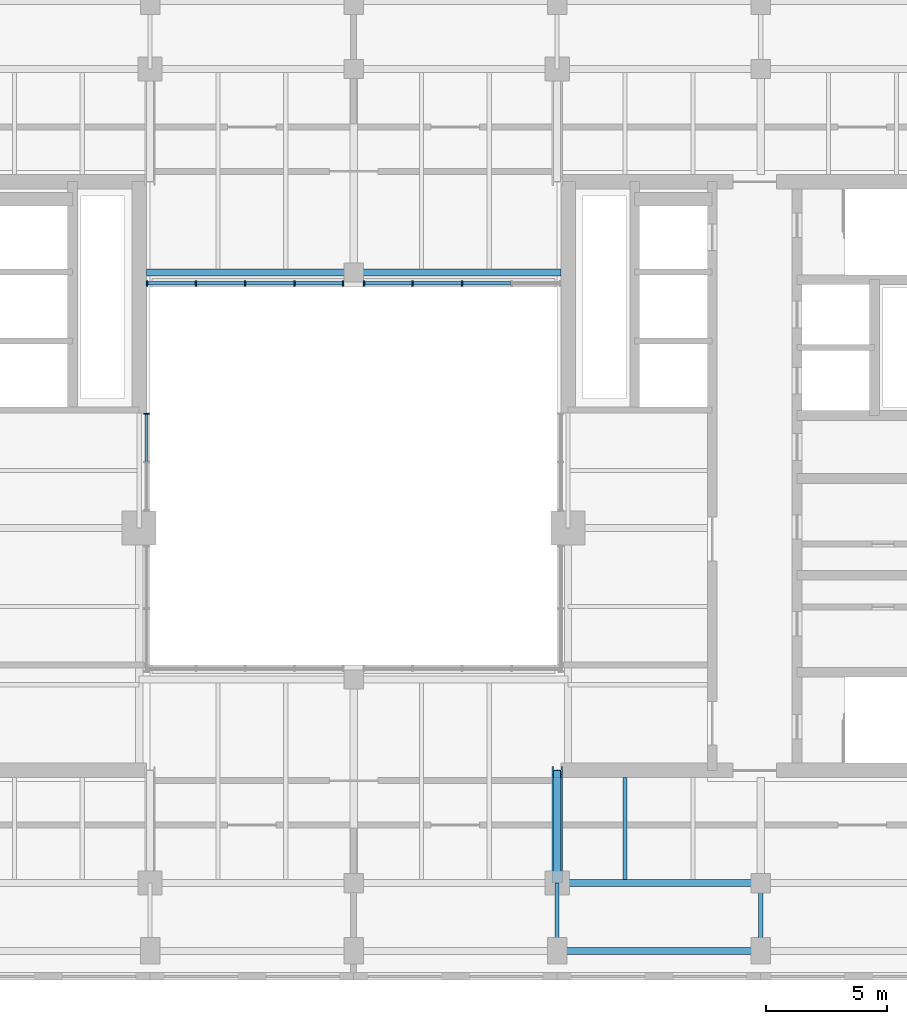
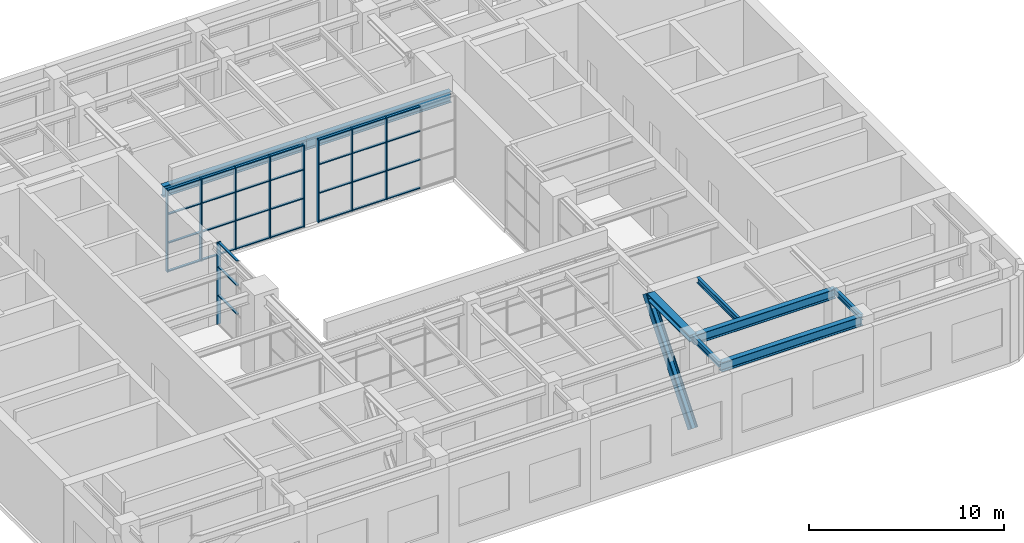
# One storey, part 3 of 11: 41 members, 8 beams, 3 elements without a shape of their own.
"""IFC4 building model written with IfcOpenShell, lengths in metres."""

from ifc_helpers import new_model, si_unit, direction, frame, origin, origin_2d, place, context, subcontext, project, spatial, rectangle, i_section, extrude, material, material_profile, profile_set, type_object, element, aggregate, save


model = new_model("IFC4")

# Units and contexts
model_context = context("Model", 3, precision=1e-05, world=origin(), true_north=direction((0.0, 1.0)))
body_context = subcontext(model_context, "Body", "Model", "MODEL_VIEW")
ifc_project = project(units=[si_unit("LENGTHUNIT", "METRE"), si_unit("AREAUNIT", "SQUARE_METRE"), si_unit("VOLUMEUNIT", "CUBIC_METRE"), si_unit("PLANEANGLEUNIT", "RADIAN"), si_unit("MASSUNIT", "GRAM", prefix="KILO")], contexts=[model_context])

# Site, building, storey
site_placement = place(None, origin())
site = spatial("IfcSite", under=ifc_project, at=site_placement, CompositionType="ELEMENT")
building_placement = place(site_placement, origin())
building = spatial("IfcBuilding", under=site, at=building_placement, Name="Claustro Exchange Tower", CompositionType="ELEMENT")
storey_placement = place(building_placement, frame((0.0, 0.0, 281.699951171875)))
storey = spatial("IfcBuildingStorey", under=building, at=storey_placement, Name="L64", CompositionType="ELEMENT", Elevation=281.699951171875)

# Beams
ifc_material_1 = material(Name="Steel S355", Category="steel")
ifc_material_profile_1 = material_profile(ifc_material_1, i_section(OverallWidth=0.300048828125, OverallDepth=0.590087890625, WebThickness=0.012939453125, FlangeThickness=0.02490234375, FilletRadius=0.027099609375, at=origin_2d()), Name="HE 600 A")
ifc_profile_set_1 = profile_set([ifc_material_profile_1], Name="Steel S355")
beam_type_1 = type_object("IfcBeamType", Name="B10 HE 600 A floor girder", PredefinedType="BEAM", material=ifc_profile_set_1)
for number, where, z_axis, x_axis, name in (
    (1, (33.60009765625, 5.60009765625, 4.85498046875), (1.0, 0.0, 0.0), (0.0, 1.0, 0.0), "Beam B10 ROOF"),
    (2, (33.60009765625, 8.39990234375, 4.85498046875), (1.0, 0.0, 0.0), (0.0, 1.0, 0.0), "Beam B10 ROOF"),
):
    element("IfcBeam", number, at=place(storey_placement, frame(where, z_axis=z_axis, x_axis=x_axis)), inside=storey, type_object=beam_type_1, Name=name, PredefinedType="BEAM", context=body_context, shape_type="SweptSolid", body=[
        extrude(i_section(OverallWidth=0.300048828125, OverallDepth=0.590087890625, WebThickness=0.012939453125, FlangeThickness=0.02490234375, FilletRadius=0.027099609375, at=origin_2d()), origin(), (0.0, 0.0, 1.0), 8.39990234375),
    ])
ifc_material_2 = material(Name="Steel S355", Category="steel")
ifc_material_profile_2 = material_profile(ifc_material_2, i_section(OverallWidth=0.300048828125, OverallDepth=0.68994140625, WebThickness=0.014404296875, FlangeThickness=0.027099609375, FilletRadius=0.027099609375, at=origin_2d()), Name="HE 700 A")
ifc_profile_set_2 = profile_set([ifc_material_profile_2], Name="Steel S355")
beam_type_2 = type_object("IfcBeamType", Name="B13 HE 700 A light well edge girder", PredefinedType="BEAM", material=ifc_profile_set_2)
for number, where, z_axis, x_axis, name in (
    (3, (16.64990234375, 33.60009765625, 4.804931640625), (1.0, 0.0, 0.0), (0.0, 1.0, 0.0), "Beam B13 ROOF"),
    (4, (25.199951171875, 33.60009765625, 4.804931640625), (1.0, 0.0, 0.0), (0.0, 1.0, 0.0), "Beam B13 ROOF"),
):
    element("IfcBeam", number, at=place(storey_placement, frame(where, z_axis=z_axis, x_axis=x_axis)), inside=storey, type_object=beam_type_2, Name=name, PredefinedType="BEAM", context=body_context, shape_type="SweptSolid", body=[
        extrude(i_section(OverallWidth=0.300048828125, OverallDepth=0.68994140625, WebThickness=0.014404296875, FlangeThickness=0.027099609375, FilletRadius=0.027099609375, at=origin_2d()), origin(), (0.0, 0.0, 1.0), 8.550048828125),
    ])
ifc_material_3 = material(Name="Steel S355", Category="steel")
ifc_material_profile_3 = material_profile(ifc_material_3, i_section(OverallWidth=0.169921875, OverallDepth=0.360107421875, WebThickness=0.008056640625, FlangeThickness=0.0126953125, FilletRadius=0.01806640625, at=origin_2d()), Name="IPE 360")
ifc_profile_set_3 = profile_set([ifc_material_profile_3], Name="Steel S355")
beam_type_3 = type_object("IfcBeamType", Name="B16 IPE 360 short-span beam", PredefinedType="BEAM", material=ifc_profile_set_3)
for number, where, z_axis, x_axis, name in (
    (5, (33.60009765625, 5.60009765625, 4.969970703125), (0.0, 1.0, 0.0), (-1.0, 0.0, 0.0), "Beam B16 ROOF"),
    (6, (42.0, 5.60009765625, 4.969970703125), (0.0, 1.0, 0.0), (-1.0, 0.0, 0.0), "Beam B16 ROOF"),
):
    element("IfcBeam", number, at=place(storey_placement, frame(where, z_axis=z_axis, x_axis=x_axis)), inside=storey, type_object=beam_type_3, Name=name, PredefinedType="BEAM", context=body_context, shape_type="SweptSolid", body=[
        extrude(i_section(OverallWidth=0.169921875, OverallDepth=0.360107421875, WebThickness=0.008056640625, FlangeThickness=0.0126953125, FilletRadius=0.01806640625, at=origin_2d()), origin(), (0.0, 0.0, 1.0), 2.7998046875),
    ])
beam_1_placement = place(storey_placement, frame((36.39990234375, 8.550048828125, 4.969970703125), z_axis=(0.0, 1.0, 0.0), x_axis=(-1.0, 0.0, 0.0)))
element("IfcBeam", 7, at=beam_1_placement, inside=storey, type_object=beam_type_3, Name="Beam B16 ROOF", PredefinedType="BEAM", context=body_context, shape_type="SweptSolid", body=[
    extrude(i_section(OverallWidth=0.169921875, OverallDepth=0.360107421875, WebThickness=0.008056640625, FlangeThickness=0.0126953125, FilletRadius=0.01806640625, at=origin_2d()), origin(), (0.0, 0.0, 1.0), 4.199951171875),
])
ifc_material_4 = material(Name="Steel S460", Category="steel")
ifc_material_profile_4 = material_profile(ifc_material_4, i_section(OverallWidth=0.422119140625, OverallDepth=0.425048828125, WebThickness=0.035888671875, FlangeThickness=0.05810546875, FilletRadius=0.014892578125, at=origin_2d()), Name="HD 400x463")
ifc_profile_set_4 = profile_set([ifc_material_profile_4], Name="Steel S460")
beam_type_4 = type_object("IfcBeamType", Name="CT1 HD 400x463 cap truss chord", PredefinedType="BEAM", material=ifc_profile_set_4)
beam_2_placement = place(storey_placement, frame((33.60009765625, 8.39990234375, 4.9375), z_axis=(0.0, 1.0, 0.0), x_axis=(-1.0, 0.0, 0.0)))
element("IfcBeam", 8, at=beam_2_placement, inside=storey, type_object=beam_type_4, Name="Beam CT1 ROOF", PredefinedType="BEAM", context=body_context, shape_type="SweptSolid", body=[
    extrude(i_section(OverallWidth=0.422119140625, OverallDepth=0.425048828125, WebThickness=0.035888671875, FlangeThickness=0.05810546875, FilletRadius=0.014892578125, at=origin_2d()), origin(), (0.0, 0.0, 1.0), 4.35009765625),
])

# Member
ifc_material_5 = material(Name="Steel S460", Category="steel")
ifc_material_profile_5 = material_profile(ifc_material_5, i_section(OverallWidth=0.422119140625, OverallDepth=0.425048828125, WebThickness=0.035888671875, FlangeThickness=0.05810546875, FilletRadius=0.014892578125, at=origin_2d()), Name="HD 400x463")
ifc_profile_set_5 = profile_set([ifc_material_profile_5], Name="Steel S460")
member_type_1 = type_object("IfcMemberType", Name="CT2 HD 400x463 cap truss diagonal", PredefinedType="BRACE", material=ifc_profile_set_5)
member_1_placement = place(storey_placement, frame((33.60009765625, 8.39990234375, -0.759033203125), z_axis=(0.0, 0.632369577615, 0.774666842783), x_axis=(0.0, -0.774666842783, 0.632369577615)))
element("IfcMember", 9, at=member_1_placement, inside=storey, type_object=member_type_1, Name="Cap truss diagonal CT2 L64", PredefinedType="BRACE", context=body_context, shape_type="SweptSolid", body=[
    extrude(i_section(OverallWidth=0.422119140625, OverallDepth=0.425048828125, WebThickness=0.035888671875, FlangeThickness=0.05810546875, FilletRadius=0.014892578125, at=origin_2d()), origin(), (0.0, 0.0, 1.0), 7.353515625),
])

# Curtain wall, member
ifc_material_6 = material(Name="Aluminium frame, clear double glazing", Category="aluminium")
curtain_wall_type = type_object("IfcCurtainWallType", Name="CW4 plant louvre screen", PredefinedType="USERDEFINED", material=ifc_material_6)
curtain_wall_1_placement = place(storey_placement, origin())
curtain_wall_1 = element("IfcCurtainWall", 10, at=curtain_wall_1_placement, inside=storey, type_object=curtain_wall_type, Name="Curtain wall CW4 L64", ObjectType="STICK CURTAIN WALL", PredefinedType="USERDEFINED")
ifc_material_7 = material(Name="Aluminium mullion", Category="aluminium")
ifc_material_profile_6 = material_profile(ifc_material_7, rectangle(XDim=0.219970703125, YDim=0.06005859375, at=origin_2d()), Name="CW4-M 60x220")
ifc_profile_set_6 = profile_set([ifc_material_profile_6], Name="Aluminium mullion")
member_type_2 = type_object("IfcMemberType", Name="CW4-M 60 x 220 mullion", PredefinedType="MULLION", material=ifc_profile_set_6)
member_2_placement = place(storey_placement, frame((16.64990234375, 27.77001953125, 0.0), z_axis=(0.0, 0.0, 1.0), x_axis=(-1.0, 0.0, 0.0)))
member_2 = element("IfcMember", 11, at=member_2_placement, type_object=member_type_2, Name="CW4 mullion 3", PredefinedType="MULLION", context=body_context, shape_type="SweptSolid", body=[
    extrude(rectangle(XDim=0.219970703125, YDim=0.06005859375, at=origin_2d()), origin(), (0.0, 0.0, 1.0), 5.150146484375),
])

# Curtain wall, members
curtain_wall_2_placement = place(storey_placement, origin())
curtain_wall_2 = element("IfcCurtainWall", 12, at=curtain_wall_2_placement, inside=storey, type_object=curtain_wall_type, Name="Curtain wall CW4 L64", ObjectType="STICK CURTAIN WALL", PredefinedType="USERDEFINED")
member_3_placement = place(storey_placement, frame((16.679931640625, 33.14990234375, 0.0), z_axis=(0.0, 0.0, 1.0), x_axis=(0.0, 1.0, 0.0)))
member_3 = element("IfcMember", 13, at=member_3_placement, type_object=member_type_2, Name="CW4 mullion 1", PredefinedType="MULLION", context=body_context, shape_type="SweptSolid", body=[
    extrude(rectangle(XDim=0.219970703125, YDim=0.06005859375, at=origin_2d()), origin(), (0.0, 0.0, 1.0), 5.150146484375),
])
member_4_placement = place(storey_placement, frame((18.6875, 33.14990234375, 0.0), z_axis=(0.0, 0.0, 1.0), x_axis=(0.0, 1.0, 0.0)))
member_4 = element("IfcMember", 14, at=member_4_placement, type_object=member_type_2, Name="CW4 mullion 2", PredefinedType="MULLION", context=body_context, shape_type="SweptSolid", body=[
    extrude(rectangle(XDim=0.219970703125, YDim=0.06005859375, at=origin_2d()), origin(), (0.0, 0.0, 1.0), 5.150146484375),
])
member_5_placement = place(storey_placement, frame((20.72509765625, 33.14990234375, 0.0), z_axis=(0.0, 0.0, 1.0), x_axis=(0.0, 1.0, 0.0)))
member_5 = element("IfcMember", 15, at=member_5_placement, type_object=member_type_2, Name="CW4 mullion 3", PredefinedType="MULLION", context=body_context, shape_type="SweptSolid", body=[
    extrude(rectangle(XDim=0.219970703125, YDim=0.06005859375, at=origin_2d()), origin(), (0.0, 0.0, 1.0), 5.150146484375),
])
member_6_placement = place(storey_placement, frame((22.762451171875, 33.14990234375, 0.0), z_axis=(0.0, 0.0, 1.0), x_axis=(0.0, 1.0, 0.0)))
member_6 = element("IfcMember", 16, at=member_6_placement, type_object=member_type_2, Name="CW4 mullion 4", PredefinedType="MULLION", context=body_context, shape_type="SweptSolid", body=[
    extrude(rectangle(XDim=0.219970703125, YDim=0.06005859375, at=origin_2d()), origin(), (0.0, 0.0, 1.0), 5.150146484375),
])
member_7_placement = place(storey_placement, frame((24.77001953125, 33.14990234375, 0.0), z_axis=(0.0, 0.0, 1.0), x_axis=(0.0, 1.0, 0.0)))
member_7 = element("IfcMember", 17, at=member_7_placement, type_object=member_type_2, Name="CW4 mullion 5", PredefinedType="MULLION", context=body_context, shape_type="SweptSolid", body=[
    extrude(rectangle(XDim=0.219970703125, YDim=0.06005859375, at=origin_2d()), origin(), (0.0, 0.0, 1.0), 5.150146484375),
])

curtain_wall_3_placement = place(storey_placement, origin())
curtain_wall_3 = element("IfcCurtainWall", 18, at=curtain_wall_3_placement, inside=storey, type_object=curtain_wall_type, Name="Curtain wall CW4 L64", ObjectType="STICK CURTAIN WALL", PredefinedType="USERDEFINED")
member_8_placement = place(storey_placement, frame((25.6298828125, 33.14990234375, 0.0), z_axis=(0.0, 0.0, 1.0), x_axis=(0.0, 1.0, 0.0)))
member_8 = element("IfcMember", 19, at=member_8_placement, type_object=member_type_2, Name="CW4 mullion 1", PredefinedType="MULLION", context=body_context, shape_type="SweptSolid", body=[
    extrude(rectangle(XDim=0.219970703125, YDim=0.06005859375, at=origin_2d()), origin(), (0.0, 0.0, 1.0), 5.150146484375),
])
member_9_placement = place(storey_placement, frame((27.637451171875, 33.14990234375, 0.0), z_axis=(0.0, 0.0, 1.0), x_axis=(0.0, 1.0, 0.0)))
member_9 = element("IfcMember", 20, at=member_9_placement, type_object=member_type_2, Name="CW4 mullion 2", PredefinedType="MULLION", context=body_context, shape_type="SweptSolid", body=[
    extrude(rectangle(XDim=0.219970703125, YDim=0.06005859375, at=origin_2d()), origin(), (0.0, 0.0, 1.0), 5.150146484375),
])
member_10_placement = place(storey_placement, frame((29.675048828125, 33.14990234375, 0.0), z_axis=(0.0, 0.0, 1.0), x_axis=(0.0, 1.0, 0.0)))
member_10 = element("IfcMember", 21, at=member_10_placement, type_object=member_type_2, Name="CW4 mullion 3", PredefinedType="MULLION", context=body_context, shape_type="SweptSolid", body=[
    extrude(rectangle(XDim=0.219970703125, YDim=0.06005859375, at=origin_2d()), origin(), (0.0, 0.0, 1.0), 5.150146484375),
])

# Member
ifc_material_8 = material(Name="Aluminium transom", Category="aluminium")
ifc_material_profile_7 = material_profile(ifc_material_8, rectangle(XDim=0.139892578125, YDim=0.06005859375, at=origin_2d()), Name="CW4-T 60x140")
ifc_profile_set_7 = profile_set([ifc_material_profile_7], Name="Aluminium transom")
member_type_3 = type_object("IfcMemberType", Name="CW4-T 60 x 140 transom", PredefinedType="USERDEFINED", material=ifc_profile_set_7)
member_11_placement = place(storey_placement, frame((16.64990234375, 25.804931640625, 1.800048828125), z_axis=(0.0, 1.0, 0.0), x_axis=(-1.0, 0.0, 0.0)))
member_11 = element("IfcMember", 22, at=member_11_placement, type_object=member_type_3, Name="CW4 transom 2.2", ObjectType="TRANSOM", PredefinedType="USERDEFINED", context=body_context, shape_type="SweptSolid", body=[
    extrude(rectangle(XDim=0.139892578125, YDim=0.06005859375, at=origin_2d()), origin(), (0.0, 0.0, 1.0), 1.93505859375),
])

member_12_placement = place(storey_placement, frame((16.64990234375, 25.804931640625, 3.60009765625), z_axis=(0.0, 1.0, 0.0), x_axis=(-1.0, 0.0, 0.0)))
member_12 = element("IfcMember", 23, at=member_12_placement, type_object=member_type_3, Name="CW4 transom 2.3", ObjectType="TRANSOM", PredefinedType="USERDEFINED", context=body_context, shape_type="SweptSolid", body=[
    extrude(rectangle(XDim=0.139892578125, YDim=0.06005859375, at=origin_2d()), origin(), (0.0, 0.0, 1.0), 1.93505859375),
])

member_13_placement = place(storey_placement, frame((16.64990234375, 25.804931640625, 5.1201171875), z_axis=(0.0, 1.0, 0.0), x_axis=(-1.0, 0.0, 0.0)))
member_13 = element("IfcMember", 24, at=member_13_placement, type_object=member_type_3, Name="CW4 transom 2.4", ObjectType="TRANSOM", PredefinedType="USERDEFINED", context=body_context, shape_type="SweptSolid", body=[
    extrude(rectangle(XDim=0.139892578125, YDim=0.06005859375, at=origin_2d()), origin(), (0.0, 0.0, 1.0), 1.93505859375),
])

aggregate(curtain_wall_1, [member_2, member_11, member_12, member_13])

member_14_placement = place(storey_placement, frame((16.7099609375, 33.14990234375, 0.030029296875), z_axis=(1.0, 0.0, 0.0), x_axis=(0.0, 1.0, 0.0)))
member_14 = element("IfcMember", 25, at=member_14_placement, type_object=member_type_3, Name="CW4 transom 1.1", ObjectType="TRANSOM", PredefinedType="USERDEFINED", context=body_context, shape_type="SweptSolid", body=[
    extrude(rectangle(XDim=0.139892578125, YDim=0.06005859375, at=origin_2d()), origin(), (0.0, 0.0, 1.0), 1.947509765625),
])

member_15_placement = place(storey_placement, frame((16.7099609375, 33.14990234375, 1.800048828125), z_axis=(1.0, 0.0, 0.0), x_axis=(0.0, 1.0, 0.0)))
member_15 = element("IfcMember", 26, at=member_15_placement, type_object=member_type_3, Name="CW4 transom 1.2", ObjectType="TRANSOM", PredefinedType="USERDEFINED", context=body_context, shape_type="SweptSolid", body=[
    extrude(rectangle(XDim=0.139892578125, YDim=0.06005859375, at=origin_2d()), origin(), (0.0, 0.0, 1.0), 1.947509765625),
])

member_16_placement = place(storey_placement, frame((16.7099609375, 33.14990234375, 3.60009765625), z_axis=(1.0, 0.0, 0.0), x_axis=(0.0, 1.0, 0.0)))
member_16 = element("IfcMember", 27, at=member_16_placement, type_object=member_type_3, Name="CW4 transom 1.3", ObjectType="TRANSOM", PredefinedType="USERDEFINED", context=body_context, shape_type="SweptSolid", body=[
    extrude(rectangle(XDim=0.139892578125, YDim=0.06005859375, at=origin_2d()), origin(), (0.0, 0.0, 1.0), 1.947509765625),
])

member_17_placement = place(storey_placement, frame((16.7099609375, 33.14990234375, 5.1201171875), z_axis=(1.0, 0.0, 0.0), x_axis=(0.0, 1.0, 0.0)))
member_17 = element("IfcMember", 28, at=member_17_placement, type_object=member_type_3, Name="CW4 transom 1.4", ObjectType="TRANSOM", PredefinedType="USERDEFINED", context=body_context, shape_type="SweptSolid", body=[
    extrude(rectangle(XDim=0.139892578125, YDim=0.06005859375, at=origin_2d()), origin(), (0.0, 0.0, 1.0), 1.947509765625),
])

member_18_placement = place(storey_placement, frame((18.717529296875, 33.14990234375, 0.030029296875), z_axis=(1.0, 0.0, 0.0), x_axis=(0.0, 1.0, 0.0)))
member_18 = element("IfcMember", 29, at=member_18_placement, type_object=member_type_3, Name="CW4 transom 2.1", ObjectType="TRANSOM", PredefinedType="USERDEFINED", context=body_context, shape_type="SweptSolid", body=[
    extrude(rectangle(XDim=0.139892578125, YDim=0.06005859375, at=origin_2d()), origin(), (0.0, 0.0, 1.0), 1.9775390625),
])

member_19_placement = place(storey_placement, frame((18.717529296875, 33.14990234375, 1.800048828125), z_axis=(1.0, 0.0, 0.0), x_axis=(0.0, 1.0, 0.0)))
member_19 = element("IfcMember", 30, at=member_19_placement, type_object=member_type_3, Name="CW4 transom 2.2", ObjectType="TRANSOM", PredefinedType="USERDEFINED", context=body_context, shape_type="SweptSolid", body=[
    extrude(rectangle(XDim=0.139892578125, YDim=0.06005859375, at=origin_2d()), origin(), (0.0, 0.0, 1.0), 1.9775390625),
])

member_20_placement = place(storey_placement, frame((18.717529296875, 33.14990234375, 3.60009765625), z_axis=(1.0, 0.0, 0.0), x_axis=(0.0, 1.0, 0.0)))
member_20 = element("IfcMember", 31, at=member_20_placement, type_object=member_type_3, Name="CW4 transom 2.3", ObjectType="TRANSOM", PredefinedType="USERDEFINED", context=body_context, shape_type="SweptSolid", body=[
    extrude(rectangle(XDim=0.139892578125, YDim=0.06005859375, at=origin_2d()), origin(), (0.0, 0.0, 1.0), 1.9775390625),
])

member_21_placement = place(storey_placement, frame((18.717529296875, 33.14990234375, 5.1201171875), z_axis=(1.0, 0.0, 0.0), x_axis=(0.0, 1.0, 0.0)))
member_21 = element("IfcMember", 32, at=member_21_placement, type_object=member_type_3, Name="CW4 transom 2.4", ObjectType="TRANSOM", PredefinedType="USERDEFINED", context=body_context, shape_type="SweptSolid", body=[
    extrude(rectangle(XDim=0.139892578125, YDim=0.06005859375, at=origin_2d()), origin(), (0.0, 0.0, 1.0), 1.9775390625),
])

member_22_placement = place(storey_placement, frame((20.7548828125, 33.14990234375, 0.030029296875), z_axis=(1.0, 0.0, 0.0), x_axis=(0.0, 1.0, 0.0)))
member_22 = element("IfcMember", 33, at=member_22_placement, type_object=member_type_3, Name="CW4 transom 3.1", ObjectType="TRANSOM", PredefinedType="USERDEFINED", context=body_context, shape_type="SweptSolid", body=[
    extrude(rectangle(XDim=0.139892578125, YDim=0.06005859375, at=origin_2d()), origin(), (0.0, 0.0, 1.0), 1.9775390625),
])

member_23_placement = place(storey_placement, frame((20.7548828125, 33.14990234375, 1.800048828125), z_axis=(1.0, 0.0, 0.0), x_axis=(0.0, 1.0, 0.0)))
member_23 = element("IfcMember", 34, at=member_23_placement, type_object=member_type_3, Name="CW4 transom 3.2", ObjectType="TRANSOM", PredefinedType="USERDEFINED", context=body_context, shape_type="SweptSolid", body=[
    extrude(rectangle(XDim=0.139892578125, YDim=0.06005859375, at=origin_2d()), origin(), (0.0, 0.0, 1.0), 1.9775390625),
])

member_24_placement = place(storey_placement, frame((20.7548828125, 33.14990234375, 3.60009765625), z_axis=(1.0, 0.0, 0.0), x_axis=(0.0, 1.0, 0.0)))
member_24 = element("IfcMember", 35, at=member_24_placement, type_object=member_type_3, Name="CW4 transom 3.3", ObjectType="TRANSOM", PredefinedType="USERDEFINED", context=body_context, shape_type="SweptSolid", body=[
    extrude(rectangle(XDim=0.139892578125, YDim=0.06005859375, at=origin_2d()), origin(), (0.0, 0.0, 1.0), 1.9775390625),
])

member_25_placement = place(storey_placement, frame((20.7548828125, 33.14990234375, 5.1201171875), z_axis=(1.0, 0.0, 0.0), x_axis=(0.0, 1.0, 0.0)))
member_25 = element("IfcMember", 36, at=member_25_placement, type_object=member_type_3, Name="CW4 transom 3.4", ObjectType="TRANSOM", PredefinedType="USERDEFINED", context=body_context, shape_type="SweptSolid", body=[
    extrude(rectangle(XDim=0.139892578125, YDim=0.06005859375, at=origin_2d()), origin(), (0.0, 0.0, 1.0), 1.9775390625),
])

member_26_placement = place(storey_placement, frame((22.79248046875, 33.14990234375, 0.030029296875), z_axis=(1.0, 0.0, 0.0), x_axis=(0.0, 1.0, 0.0)))
member_26 = element("IfcMember", 37, at=member_26_placement, type_object=member_type_3, Name="CW4 transom 4.1", ObjectType="TRANSOM", PredefinedType="USERDEFINED", context=body_context, shape_type="SweptSolid", body=[
    extrude(rectangle(XDim=0.139892578125, YDim=0.06005859375, at=origin_2d()), origin(), (0.0, 0.0, 1.0), 1.947509765625),
])

member_27_placement = place(storey_placement, frame((22.79248046875, 33.14990234375, 1.800048828125), z_axis=(1.0, 0.0, 0.0), x_axis=(0.0, 1.0, 0.0)))
member_27 = element("IfcMember", 38, at=member_27_placement, type_object=member_type_3, Name="CW4 transom 4.2", ObjectType="TRANSOM", PredefinedType="USERDEFINED", context=body_context, shape_type="SweptSolid", body=[
    extrude(rectangle(XDim=0.139892578125, YDim=0.06005859375, at=origin_2d()), origin(), (0.0, 0.0, 1.0), 1.947509765625),
])

member_28_placement = place(storey_placement, frame((22.79248046875, 33.14990234375, 3.60009765625), z_axis=(1.0, 0.0, 0.0), x_axis=(0.0, 1.0, 0.0)))
member_28 = element("IfcMember", 39, at=member_28_placement, type_object=member_type_3, Name="CW4 transom 4.3", ObjectType="TRANSOM", PredefinedType="USERDEFINED", context=body_context, shape_type="SweptSolid", body=[
    extrude(rectangle(XDim=0.139892578125, YDim=0.06005859375, at=origin_2d()), origin(), (0.0, 0.0, 1.0), 1.947509765625),
])

member_29_placement = place(storey_placement, frame((22.79248046875, 33.14990234375, 5.1201171875), z_axis=(1.0, 0.0, 0.0), x_axis=(0.0, 1.0, 0.0)))
member_29 = element("IfcMember", 40, at=member_29_placement, type_object=member_type_3, Name="CW4 transom 4.4", ObjectType="TRANSOM", PredefinedType="USERDEFINED", context=body_context, shape_type="SweptSolid", body=[
    extrude(rectangle(XDim=0.139892578125, YDim=0.06005859375, at=origin_2d()), origin(), (0.0, 0.0, 1.0), 1.947509765625),
])

aggregate(curtain_wall_2, [member_3, member_4, member_5, member_6, member_7, member_14, member_15, member_16, member_17, member_18, member_19, member_20, member_21, member_22, member_23, member_24, member_25, member_26, member_27, member_28, member_29])

member_30_placement = place(storey_placement, frame((25.659912109375, 33.14990234375, 0.030029296875), z_axis=(1.0, 0.0, 0.0), x_axis=(0.0, 1.0, 0.0)))
member_30 = element("IfcMember", 41, at=member_30_placement, type_object=member_type_3, Name="CW4 transom 1.1", ObjectType="TRANSOM", PredefinedType="USERDEFINED", context=body_context, shape_type="SweptSolid", body=[
    extrude(rectangle(XDim=0.139892578125, YDim=0.06005859375, at=origin_2d()), origin(), (0.0, 0.0, 1.0), 1.947509765625),
])

member_31_placement = place(storey_placement, frame((25.659912109375, 33.14990234375, 1.800048828125), z_axis=(1.0, 0.0, 0.0), x_axis=(0.0, 1.0, 0.0)))
member_31 = element("IfcMember", 42, at=member_31_placement, type_object=member_type_3, Name="CW4 transom 1.2", ObjectType="TRANSOM", PredefinedType="USERDEFINED", context=body_context, shape_type="SweptSolid", body=[
    extrude(rectangle(XDim=0.139892578125, YDim=0.06005859375, at=origin_2d()), origin(), (0.0, 0.0, 1.0), 1.947509765625),
])

member_32_placement = place(storey_placement, frame((25.659912109375, 33.14990234375, 3.60009765625), z_axis=(1.0, 0.0, 0.0), x_axis=(0.0, 1.0, 0.0)))
member_32 = element("IfcMember", 43, at=member_32_placement, type_object=member_type_3, Name="CW4 transom 1.3", ObjectType="TRANSOM", PredefinedType="USERDEFINED", context=body_context, shape_type="SweptSolid", body=[
    extrude(rectangle(XDim=0.139892578125, YDim=0.06005859375, at=origin_2d()), origin(), (0.0, 0.0, 1.0), 1.947509765625),
])

member_33_placement = place(storey_placement, frame((25.659912109375, 33.14990234375, 5.1201171875), z_axis=(1.0, 0.0, 0.0), x_axis=(0.0, 1.0, 0.0)))
member_33 = element("IfcMember", 44, at=member_33_placement, type_object=member_type_3, Name="CW4 transom 1.4", ObjectType="TRANSOM", PredefinedType="USERDEFINED", context=body_context, shape_type="SweptSolid", body=[
    extrude(rectangle(XDim=0.139892578125, YDim=0.06005859375, at=origin_2d()), origin(), (0.0, 0.0, 1.0), 1.947509765625),
])

member_34_placement = place(storey_placement, frame((27.66748046875, 33.14990234375, 0.030029296875), z_axis=(1.0, 0.0, 0.0), x_axis=(0.0, 1.0, 0.0)))
member_34 = element("IfcMember", 45, at=member_34_placement, type_object=member_type_3, Name="CW4 transom 2.1", ObjectType="TRANSOM", PredefinedType="USERDEFINED", context=body_context, shape_type="SweptSolid", body=[
    extrude(rectangle(XDim=0.139892578125, YDim=0.06005859375, at=origin_2d()), origin(), (0.0, 0.0, 1.0), 1.9775390625),
])

member_35_placement = place(storey_placement, frame((27.66748046875, 33.14990234375, 1.800048828125), z_axis=(1.0, 0.0, 0.0), x_axis=(0.0, 1.0, 0.0)))
member_35 = element("IfcMember", 46, at=member_35_placement, type_object=member_type_3, Name="CW4 transom 2.2", ObjectType="TRANSOM", PredefinedType="USERDEFINED", context=body_context, shape_type="SweptSolid", body=[
    extrude(rectangle(XDim=0.139892578125, YDim=0.06005859375, at=origin_2d()), origin(), (0.0, 0.0, 1.0), 1.9775390625),
])

member_36_placement = place(storey_placement, frame((27.66748046875, 33.14990234375, 3.60009765625), z_axis=(1.0, 0.0, 0.0), x_axis=(0.0, 1.0, 0.0)))
member_36 = element("IfcMember", 47, at=member_36_placement, type_object=member_type_3, Name="CW4 transom 2.3", ObjectType="TRANSOM", PredefinedType="USERDEFINED", context=body_context, shape_type="SweptSolid", body=[
    extrude(rectangle(XDim=0.139892578125, YDim=0.06005859375, at=origin_2d()), origin(), (0.0, 0.0, 1.0), 1.9775390625),
])

member_37_placement = place(storey_placement, frame((27.66748046875, 33.14990234375, 5.1201171875), z_axis=(1.0, 0.0, 0.0), x_axis=(0.0, 1.0, 0.0)))
member_37 = element("IfcMember", 48, at=member_37_placement, type_object=member_type_3, Name="CW4 transom 2.4", ObjectType="TRANSOM", PredefinedType="USERDEFINED", context=body_context, shape_type="SweptSolid", body=[
    extrude(rectangle(XDim=0.139892578125, YDim=0.06005859375, at=origin_2d()), origin(), (0.0, 0.0, 1.0), 1.9775390625),
])

member_38_placement = place(storey_placement, frame((29.705078125, 33.14990234375, 0.030029296875), z_axis=(1.0, 0.0, 0.0), x_axis=(0.0, 1.0, 0.0)))
member_38 = element("IfcMember", 49, at=member_38_placement, type_object=member_type_3, Name="CW4 transom 3.1", ObjectType="TRANSOM", PredefinedType="USERDEFINED", context=body_context, shape_type="SweptSolid", body=[
    extrude(rectangle(XDim=0.139892578125, YDim=0.06005859375, at=origin_2d()), origin(), (0.0, 0.0, 1.0), 1.9775390625),
])

member_39_placement = place(storey_placement, frame((29.705078125, 33.14990234375, 1.800048828125), z_axis=(1.0, 0.0, 0.0), x_axis=(0.0, 1.0, 0.0)))
member_39 = element("IfcMember", 50, at=member_39_placement, type_object=member_type_3, Name="CW4 transom 3.2", ObjectType="TRANSOM", PredefinedType="USERDEFINED", context=body_context, shape_type="SweptSolid", body=[
    extrude(rectangle(XDim=0.139892578125, YDim=0.06005859375, at=origin_2d()), origin(), (0.0, 0.0, 1.0), 1.9775390625),
])

member_40_placement = place(storey_placement, frame((29.705078125, 33.14990234375, 3.60009765625), z_axis=(1.0, 0.0, 0.0), x_axis=(0.0, 1.0, 0.0)))
member_40 = element("IfcMember", 51, at=member_40_placement, type_object=member_type_3, Name="CW4 transom 3.3", ObjectType="TRANSOM", PredefinedType="USERDEFINED", context=body_context, shape_type="SweptSolid", body=[
    extrude(rectangle(XDim=0.139892578125, YDim=0.06005859375, at=origin_2d()), origin(), (0.0, 0.0, 1.0), 1.9775390625),
])

member_41_placement = place(storey_placement, frame((29.705078125, 33.14990234375, 5.1201171875), z_axis=(1.0, 0.0, 0.0), x_axis=(0.0, 1.0, 0.0)))
member_41 = element("IfcMember", 52, at=member_41_placement, type_object=member_type_3, Name="CW4 transom 3.4", ObjectType="TRANSOM", PredefinedType="USERDEFINED", context=body_context, shape_type="SweptSolid", body=[
    extrude(rectangle(XDim=0.139892578125, YDim=0.06005859375, at=origin_2d()), origin(), (0.0, 0.0, 1.0), 1.9775390625),
])

aggregate(curtain_wall_3, [member_8, member_9, member_10, member_30, member_31, member_32, member_33, member_34, member_35, member_36, member_37, member_38, member_39, member_40, member_41])

save(model, "model.ifc")
